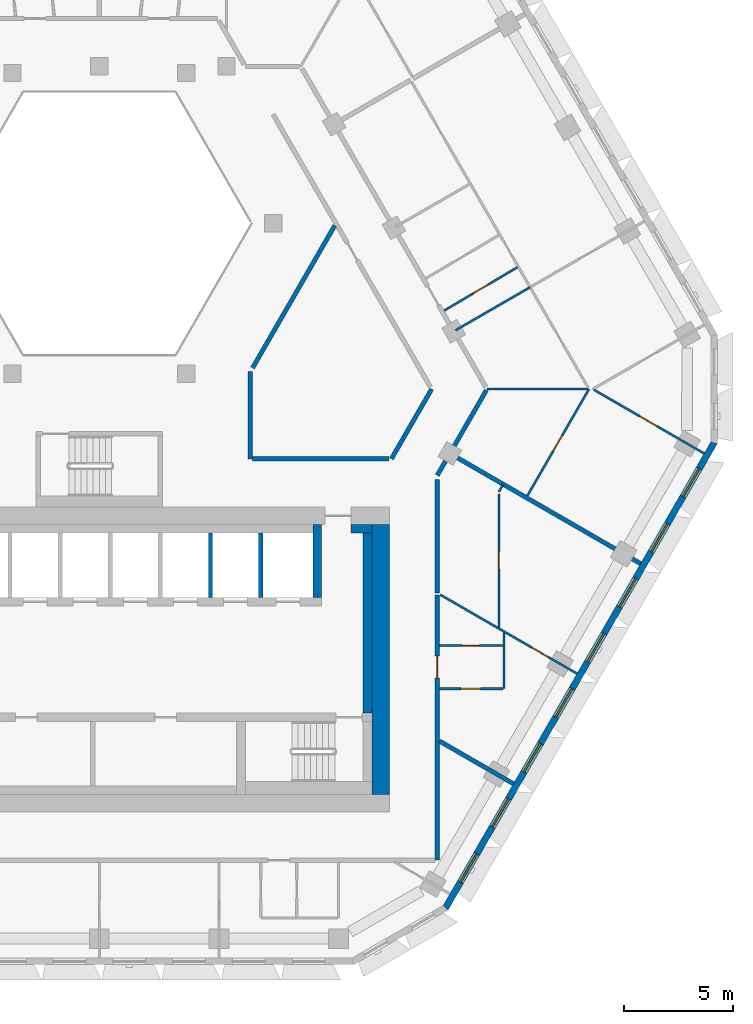
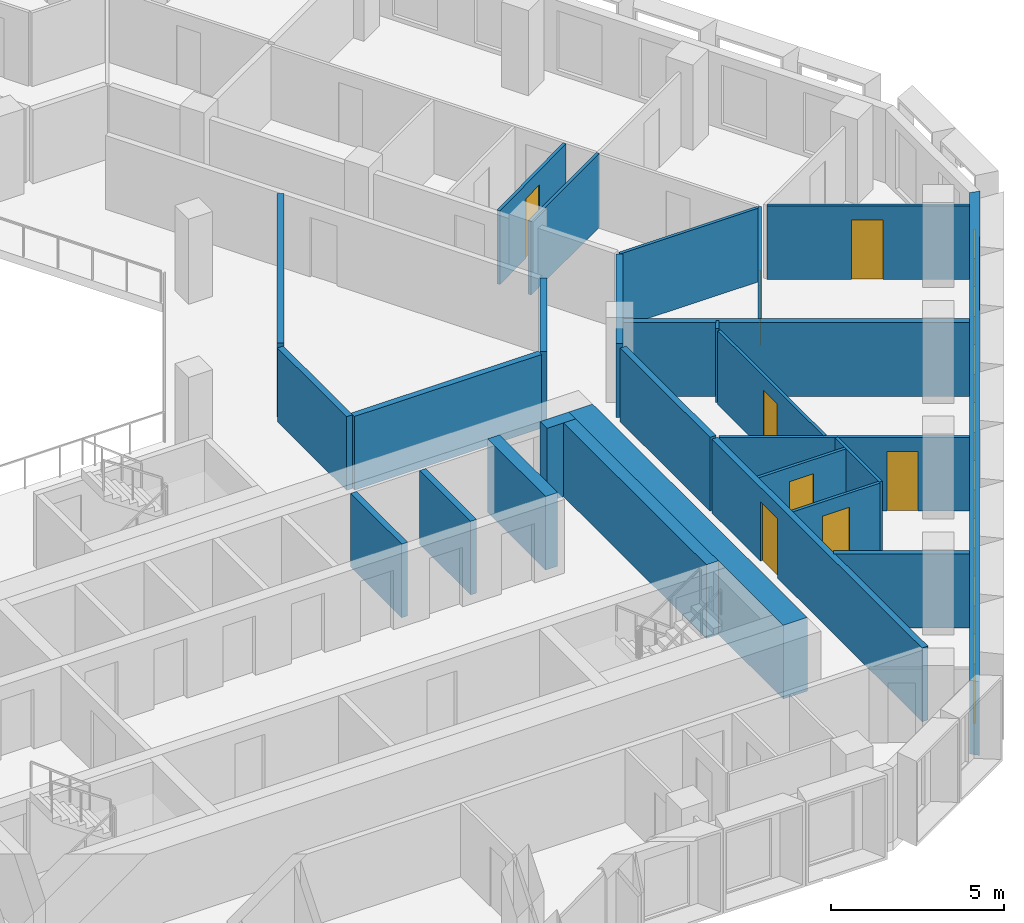
# One storey, part 6 of 17: 27 walls, 8 doors, 8 windows, 16 openings.
"""IFC4 building model written with IfcOpenShell, lengths in metres."""

from ifc_helpers import new_model, si_unit, direction, frame, frame_2d, origin, place, context, subcontext, project, spatial, polyline, rectangle, outline, extrude, material, layer, layer_set, type_object, element, fill, save


model = new_model("IFC4")

# Units and contexts
model_context = context("Model", 3, precision=1e-05, world=origin(), true_north=direction((0.0, 1.0)))
body_context = subcontext(model_context, "Body", "Model", "MODEL_VIEW")
ifc_project = project(units=[si_unit("LENGTHUNIT", "METRE"), si_unit("AREAUNIT", "SQUARE_METRE"), si_unit("VOLUMEUNIT", "CUBIC_METRE"), si_unit("PLANEANGLEUNIT", "RADIAN"), si_unit("MASSUNIT", "GRAM", prefix="KILO")], contexts=[model_context])

# Site, building, storey
site_placement = place(None, origin())
site = spatial("IfcSite", under=ifc_project, at=site_placement, CompositionType="ELEMENT")
building_placement = place(site_placement, origin())
building = spatial("IfcBuilding", under=site, at=building_placement, Name="Beryl Residences", CompositionType="ELEMENT")
storey_placement = place(building_placement, frame((0.0, 0.0, 150.60009765625)))
storey = spatial("IfcBuildingStorey", under=building, at=storey_placement, Name="L46", CompositionType="ELEMENT", Elevation=150.60009765625)

# Wall, openings, windows
ifc_material_1 = material(Name="Composite metal panel with mineral wool insulation")
ifc_layer_1 = layer(ifc_material_1, 0.300048828125)
ifc_layer_set_1 = layer_set([ifc_layer_1], Name="ES1 pale metal composite panel wall 300 mm")
wall_type_1 = type_object("IfcWallType", Name="ES1 pale metal composite panel wall 300 mm", PredefinedType="SOLIDWALL", material=ifc_layer_set_1)
wall_1_placement = place(storey_placement, frame((15.862060546875, -23.425048828125, 0.0), z_axis=(0.0, 0.0, 1.0), x_axis=(0.500017503135, 0.866015298109, 0.0)))
wall_1 = element("IfcWall", 1, at=wall_1_placement, inside=storey, type_object=wall_type_1, Name="ES1 external wall L46 SE", PredefinedType="SOLIDWALL", context=body_context, shape_type="SweptSolid", body=[
    extrude(outline(polyline([(0.0, -0.14990234375), (24.7109375, -0.14990234375), (24.630615234375, 0.14990234375), (0.080322265625, 0.14990234375), (0.0, -0.14990234375)])), origin(), (0.0, 0.0, 1.0), 2.599853515625),
])
opening_1_placement = place(wall_1_placement, frame((1.39990234375, 0.0, 0.14990234375)))
opening_1 = element("IfcOpeningElement", 2, at=opening_1_placement, cuts=wall_1, Name="Opening W1", PredefinedType="OPENING", context=body_context, shape_type="SweptSolid", body=[
    extrude(rectangle(XDim=1.5, YDim=2.10009765625, at=frame_2d((0.75, 1.050048828125))), frame((0.0, 0.159912109375, 0.0), z_axis=(0.0, -1.0, 0.0), x_axis=(1.0, 0.0, 0.0)), (0.0, 0.0, 1.0), 0.320068359375),
])
opening_2_placement = place(wall_1_placement, frame((4.31591796875, 0.0, 0.14990234375)))
opening_2 = element("IfcOpeningElement", 3, at=opening_2_placement, cuts=wall_1, Name="Opening W1", PredefinedType="OPENING", context=body_context, shape_type="SweptSolid", body=[
    extrude(rectangle(XDim=1.5, YDim=2.10009765625, at=frame_2d((0.75, 1.050048828125))), frame((0.0, 0.159912109375, 0.0), z_axis=(0.0, -1.0, 0.0), x_axis=(1.0, 0.0, 0.0)), (0.0, 0.0, 1.0), 0.320068359375),
])
opening_3_placement = place(wall_1_placement, frame((7.23095703125, 0.0, 0.14990234375)))
opening_3 = element("IfcOpeningElement", 4, at=opening_3_placement, cuts=wall_1, Name="Opening W1", PredefinedType="OPENING", context=body_context, shape_type="SweptSolid", body=[
    extrude(rectangle(XDim=1.5, YDim=2.10009765625, at=frame_2d((0.75, 1.050048828125))), frame((0.0, 0.159912109375, 0.0), z_axis=(0.0, -1.0, 0.0), x_axis=(1.0, 0.0, 0.0)), (0.0, 0.0, 1.0), 0.320068359375),
])
opening_4_placement = place(wall_1_placement, frame((10.14697265625, 0.0, 0.14990234375)))
opening_4 = element("IfcOpeningElement", 5, at=opening_4_placement, cuts=wall_1, Name="Opening W1", PredefinedType="OPENING", context=body_context, shape_type="SweptSolid", body=[
    extrude(rectangle(XDim=1.5, YDim=2.10009765625, at=frame_2d((0.75, 1.050048828125))), frame((0.0, 0.159912109375, 0.0), z_axis=(0.0, -1.0, 0.0), x_axis=(1.0, 0.0, 0.0)), (0.0, 0.0, 1.0), 0.320068359375),
])
opening_5_placement = place(wall_1_placement, frame((13.06201171875, 0.0, 0.14990234375)))
opening_5 = element("IfcOpeningElement", 6, at=opening_5_placement, cuts=wall_1, Name="Opening W1", PredefinedType="OPENING", context=body_context, shape_type="SweptSolid", body=[
    extrude(rectangle(XDim=1.5, YDim=2.10009765625, at=frame_2d((0.75, 1.050048828125))), frame((0.0, 0.159912109375, 0.0), z_axis=(0.0, -1.0, 0.0), x_axis=(1.0, 0.0, 0.0)), (0.0, 0.0, 1.0), 0.320068359375),
])
opening_6_placement = place(wall_1_placement, frame((15.97705078125, 0.0, 0.14990234375)))
opening_6 = element("IfcOpeningElement", 7, at=opening_6_placement, cuts=wall_1, Name="Opening W1", PredefinedType="OPENING", context=body_context, shape_type="SweptSolid", body=[
    extrude(rectangle(XDim=1.5, YDim=2.10009765625, at=frame_2d((0.75, 1.050048828125))), frame((0.0, 0.159912109375, 0.0), z_axis=(0.0, -1.0, 0.0), x_axis=(1.0, 0.0, 0.0)), (0.0, 0.0, 1.0), 0.320068359375),
])
opening_7_placement = place(wall_1_placement, frame((18.89306640625, 0.0, 0.14990234375)))
opening_7 = element("IfcOpeningElement", 8, at=opening_7_placement, cuts=wall_1, Name="Opening W1", PredefinedType="OPENING", context=body_context, shape_type="SweptSolid", body=[
    extrude(rectangle(XDim=1.5, YDim=2.10009765625, at=frame_2d((0.75, 1.050048828125))), frame((0.0, 0.159912109375, 0.0), z_axis=(0.0, -1.0, 0.0), x_axis=(1.0, 0.0, 0.0)), (0.0, 0.0, 1.0), 0.320068359375),
])
opening_8_placement = place(wall_1_placement, frame((21.80908203125, 0.0, 0.14990234375)))
opening_8 = element("IfcOpeningElement", 9, at=opening_8_placement, cuts=wall_1, Name="Opening W1", PredefinedType="OPENING", context=body_context, shape_type="SweptSolid", body=[
    extrude(rectangle(XDim=1.5, YDim=2.10009765625, at=frame_2d((0.75, 1.050048828125))), frame((0.0, 0.159912109375, 0.0), z_axis=(0.0, -1.0, 0.0), x_axis=(1.0, 0.0, 0.0)), (0.0, 0.0, 1.0), 0.320068359375),
])
ifc_material_2 = material(Name="Aluminium and clear glass", Category="aluminium")
window_type = type_object("IfcWindowType", Name="W1 cell window 1500 x 2100 mm", PartitioningType="SINGLE_PANEL", PredefinedType="WINDOW", material=ifc_material_2)
window_1_placement = place(opening_1_placement, origin())
window_1 = element("IfcWindow", 10, at=window_1_placement, inside=storey, type_object=window_type, Name="W1 window L46 SE 1", OverallHeight=2.10009765625, OverallWidth=1.5, PartitioningType="SINGLE_PANEL", PredefinedType="WINDOW", context=body_context, shape_type="SweptSolid", body=[
    extrude(rectangle(XDim=1.5, YDim=2.10009765625, at=frame_2d((0.75, 1.050048828125))), frame((0.0, 0.030029296875, 0.0), z_axis=(0.0, -1.0, 0.0), x_axis=(1.0, 0.0, 0.0)), (0.0, 0.0, 1.0), 0.06005859375),
])
fill(opening_1, window_1)
window_2_placement = place(opening_2_placement, origin())
window_2 = element("IfcWindow", 11, at=window_2_placement, inside=storey, type_object=window_type, Name="W1 window L46 SE 2", OverallHeight=2.10009765625, OverallWidth=1.5, PartitioningType="SINGLE_PANEL", PredefinedType="WINDOW", context=body_context, shape_type="SweptSolid", body=[
    extrude(rectangle(XDim=1.5, YDim=2.10009765625, at=frame_2d((0.75, 1.050048828125))), frame((0.0, 0.030029296875, 0.0), z_axis=(0.0, -1.0, 0.0), x_axis=(1.0, 0.0, 0.0)), (0.0, 0.0, 1.0), 0.06005859375),
])
fill(opening_2, window_2)
window_3_placement = place(opening_3_placement, origin())
window_3 = element("IfcWindow", 12, at=window_3_placement, inside=storey, type_object=window_type, Name="W1 window L46 SE 3", OverallHeight=2.10009765625, OverallWidth=1.5, PartitioningType="SINGLE_PANEL", PredefinedType="WINDOW", context=body_context, shape_type="SweptSolid", body=[
    extrude(rectangle(XDim=1.5, YDim=2.10009765625, at=frame_2d((0.75, 1.050048828125))), frame((0.0, 0.030029296875, 0.0), z_axis=(0.0, -1.0, 0.0), x_axis=(1.0, 0.0, 0.0)), (0.0, 0.0, 1.0), 0.06005859375),
])
fill(opening_3, window_3)
window_4_placement = place(opening_4_placement, origin())
window_4 = element("IfcWindow", 13, at=window_4_placement, inside=storey, type_object=window_type, Name="W1 window L46 SE 4", OverallHeight=2.10009765625, OverallWidth=1.5, PartitioningType="SINGLE_PANEL", PredefinedType="WINDOW", context=body_context, shape_type="SweptSolid", body=[
    extrude(rectangle(XDim=1.5, YDim=2.10009765625, at=frame_2d((0.75, 1.050048828125))), frame((0.0, 0.030029296875, 0.0), z_axis=(0.0, -1.0, 0.0), x_axis=(1.0, 0.0, 0.0)), (0.0, 0.0, 1.0), 0.06005859375),
])
fill(opening_4, window_4)
window_5_placement = place(opening_5_placement, origin())
window_5 = element("IfcWindow", 14, at=window_5_placement, inside=storey, type_object=window_type, Name="W1 window L46 SE 5", OverallHeight=2.10009765625, OverallWidth=1.5, PartitioningType="SINGLE_PANEL", PredefinedType="WINDOW", context=body_context, shape_type="SweptSolid", body=[
    extrude(rectangle(XDim=1.5, YDim=2.10009765625, at=frame_2d((0.75, 1.050048828125))), frame((0.0, 0.030029296875, 0.0), z_axis=(0.0, -1.0, 0.0), x_axis=(1.0, 0.0, 0.0)), (0.0, 0.0, 1.0), 0.06005859375),
])
fill(opening_5, window_5)
window_6_placement = place(opening_6_placement, origin())
window_6 = element("IfcWindow", 15, at=window_6_placement, inside=storey, type_object=window_type, Name="W1 window L46 SE 6", OverallHeight=2.10009765625, OverallWidth=1.5, PartitioningType="SINGLE_PANEL", PredefinedType="WINDOW", context=body_context, shape_type="SweptSolid", body=[
    extrude(rectangle(XDim=1.5, YDim=2.10009765625, at=frame_2d((0.75, 1.050048828125))), frame((0.0, 0.030029296875, 0.0), z_axis=(0.0, -1.0, 0.0), x_axis=(1.0, 0.0, 0.0)), (0.0, 0.0, 1.0), 0.06005859375),
])
fill(opening_6, window_6)
window_7_placement = place(opening_7_placement, origin())
window_7 = element("IfcWindow", 16, at=window_7_placement, inside=storey, type_object=window_type, Name="W1 window L46 SE 7", OverallHeight=2.10009765625, OverallWidth=1.5, PartitioningType="SINGLE_PANEL", PredefinedType="WINDOW", context=body_context, shape_type="SweptSolid", body=[
    extrude(rectangle(XDim=1.5, YDim=2.10009765625, at=frame_2d((0.75, 1.050048828125))), frame((0.0, 0.030029296875, 0.0), z_axis=(0.0, -1.0, 0.0), x_axis=(1.0, 0.0, 0.0)), (0.0, 0.0, 1.0), 0.06005859375),
])
fill(opening_7, window_7)
window_8_placement = place(opening_8_placement, origin())
window_8 = element("IfcWindow", 17, at=window_8_placement, inside=storey, type_object=window_type, Name="W1 window L46 SE 8", OverallHeight=2.10009765625, OverallWidth=1.5, PartitioningType="SINGLE_PANEL", PredefinedType="WINDOW", context=body_context, shape_type="SweptSolid", body=[
    extrude(rectangle(XDim=1.5, YDim=2.10009765625, at=frame_2d((0.75, 1.050048828125))), frame((0.0, 0.030029296875, 0.0), z_axis=(0.0, -1.0, 0.0), x_axis=(1.0, 0.0, 0.0)), (0.0, 0.0, 1.0), 0.06005859375),
])
fill(opening_8, window_8)

# Wall, opening, door
ifc_material_3 = material(Name="Gypsum board partition on steel studs", Category="steel")
ifc_layer_2 = layer(ifc_material_3, 0.10009765625)
ifc_layer_set_2 = layer_set([ifc_layer_2], Name="PT1 partition 100 mm gypsum board on steel studs")
wall_type_2 = type_object("IfcWallType", Name="PT1 partition 100 mm gypsum board on steel studs", PredefinedType="PARTITIONING", material=ifc_layer_set_2)
wall_2_placement = place(storey_placement, frame((18.324951171875, -4.408935546875, 0.0), z_axis=(0.0, 0.0, 1.0), x_axis=(0.0, -1.0, 0.0)))
wall_2 = element("IfcWall", 18, at=wall_2_placement, inside=storey, type_object=wall_type_2, Name="Wall PT1 L46 010", PredefinedType="PARTITIONING", context=body_context, shape_type="SweptSolid", body=[
    extrude(rectangle(XDim=6.114990234375, YDim=0.10009765625, at=frame_2d((3.0576171875, 0.0))), origin(), (0.0, 0.0, 1.0), 2.599853515625),
])
opening_9_placement = place(wall_2_placement, frame((2.635986328125, 0.0, 0.0)))
opening_9 = element("IfcOpeningElement", 19, at=opening_9_placement, cuts=wall_2, Name="Opening D1119", PredefinedType="OPENING", context=body_context, shape_type="SweptSolid", body=[
    extrude(rectangle(XDim=0.800048828125, YDim=2.10009765625, at=frame_2d((0.39990234375, 1.050048828125))), frame((0.0, 0.06005859375, 0.0), z_axis=(0.0, -1.0, 0.0), x_axis=(1.0, 0.0, 0.0)), (0.0, 0.0, 1.0), 0.1201171875),
])
ifc_material_4 = material(Name="Timber door leaf", Category="wood")
door_type_1 = type_object("IfcDoorType", Name="D3 bathroom door 800 x 2100 mm", OperationType="SINGLE_SWING_LEFT", PredefinedType="DOOR", material=ifc_material_4)
door_1_placement = place(opening_9_placement, origin())
door_1 = element("IfcDoor", 20, at=door_1_placement, inside=storey, type_object=door_type_1, Name="Door D1119 L46 001", OperationType="SINGLE_SWING_LEFT", OverallHeight=2.10009765625, OverallWidth=0.800048828125, PredefinedType="DOOR", context=body_context, shape_type="SweptSolid", body=[
    extrude(rectangle(XDim=0.800048828125, YDim=2.10009765625, at=frame_2d((0.39990234375, 1.050048828125))), frame((0.0, 0.02490234375, 0.0), z_axis=(0.0, -1.0, 0.0), x_axis=(1.0, 0.0, 0.0)), (0.0, 0.0, 1.0), 0.050048828125),
])
fill(opening_9, door_1)

wall_3_placement = place(storey_placement, frame((15.64111328125, -9.031982421875, 0.0), z_axis=(0.0, 0.0, 1.0), x_axis=(0.866049104564, -0.499958946799, 0.0)))
wall_3 = element("IfcWall", 21, at=wall_3_placement, inside=storey, type_object=wall_type_2, Name="Wall PT1 L46 016", PredefinedType="PARTITIONING", context=body_context, shape_type="SweptSolid", body=[
    extrude(rectangle(XDim=7.23828125, YDim=0.10009765625, at=frame_2d((3.619140625, 0.0))), origin(), (0.0, 0.0, 1.0), 2.599853515625),
])
opening_10_placement = place(wall_3_placement, frame((4.85400390625, 0.0, 0.0)))
opening_10 = element("IfcOpeningElement", 22, at=opening_10_placement, cuts=wall_3, Name="Opening D1118", PredefinedType="OPENING", context=body_context, shape_type="SweptSolid", body=[
    extrude(rectangle(XDim=0.89990234375, YDim=2.10009765625, at=frame_2d((0.449951171875, 1.050048828125))), frame((0.0, 0.06005859375, 0.0), z_axis=(0.0, -1.0, 0.0), x_axis=(1.0, 0.0, 0.0)), (0.0, 0.0, 1.0), 0.1201171875),
])
ifc_material_5 = material(Name="Timber door leaf", Category="wood")
door_type_2 = type_object("IfcDoorType", Name="D2 room door 900 x 2100 mm", OperationType="SINGLE_SWING_LEFT", PredefinedType="DOOR", material=ifc_material_5)
door_2_placement = place(opening_10_placement, origin())
door_2 = element("IfcDoor", 23, at=door_2_placement, inside=storey, type_object=door_type_2, Name="Door D1118 L46 001", OperationType="SINGLE_SWING_RIGHT", OverallHeight=2.10009765625, OverallWidth=0.89990234375, PredefinedType="DOOR", context=body_context, shape_type="SweptSolid", body=[
    extrude(rectangle(XDim=0.89990234375, YDim=2.10009765625, at=frame_2d((0.449951171875, 1.050048828125))), frame((0.0, 0.02490234375, 0.0), z_axis=(0.0, -1.0, 0.0), x_axis=(1.0, 0.0, 0.0)), (0.0, 0.0, 1.0), 0.050048828125),
])
fill(opening_10, door_2)

wall_4_placement = place(storey_placement, frame((22.678955078125, 0.3720703125, 0.0), z_axis=(0.0, 0.0, 1.0), x_axis=(0.865985260119, -0.500069524424, 0.0)))
wall_4 = element("IfcWall", 24, at=wall_4_placement, inside=storey, type_object=wall_type_2, Name="Wall PT1 L46 018", PredefinedType="PARTITIONING", context=body_context, shape_type="SweptSolid", body=[
    extrude(rectangle(XDim=5.845458984375, YDim=0.10009765625, at=frame_2d((2.9228515625, 0.0))), origin(), (0.0, 0.0, 1.0), 2.599853515625),
])
opening_11_placement = place(wall_4_placement, frame((2.444091796875, 0.0, 0.0)))
opening_11 = element("IfcOpeningElement", 25, at=opening_11_placement, cuts=wall_4, Name="Opening D1128", PredefinedType="OPENING", context=body_context, shape_type="SweptSolid", body=[
    extrude(rectangle(XDim=0.89990234375, YDim=2.10009765625, at=frame_2d((0.449951171875, 1.050048828125))), frame((0.0, 0.06005859375, 0.0), z_axis=(0.0, -1.0, 0.0), x_axis=(1.0, 0.0, 0.0)), (0.0, 0.0, 1.0), 0.1201171875),
])
door_3_placement = place(opening_11_placement, origin())
door_3 = element("IfcDoor", 26, at=door_3_placement, inside=storey, type_object=door_type_2, Name="Door D1128 L46 001", OperationType="SINGLE_SWING_RIGHT", OverallHeight=2.10009765625, OverallWidth=0.89990234375, PredefinedType="DOOR", context=body_context, shape_type="SweptSolid", body=[
    extrude(rectangle(XDim=0.89990234375, YDim=2.10009765625, at=frame_2d((0.449951171875, 1.050048828125))), frame((0.0, 0.02490234375, 0.0), z_axis=(0.0, -1.0, 0.0), x_axis=(1.0, 0.0, 0.0)), (0.0, 0.0, 1.0), 0.050048828125),
])
fill(opening_11, door_3)

wall_5_placement = place(storey_placement, frame((15.60009765625, -11.362060546875, 0.0), z_axis=(0.0, 0.0, 1.0), x_axis=(1.0, 0.0, 0.0)))
wall_5 = element("IfcWall", 27, at=wall_5_placement, inside=storey, type_object=wall_type_2, Name="Wall PT1 L46 019", PredefinedType="PARTITIONING", context=body_context, shape_type="SweptSolid", body=[
    extrude(rectangle(XDim=2.909912109375, YDim=0.10009765625, at=frame_2d((1.455078125, 0.0))), origin(), (0.0, 0.0, 1.0), 2.599853515625),
])
opening_12_placement = place(wall_5_placement, frame((1.030029296875, 0.0, 0.0)))
opening_12 = element("IfcOpeningElement", 28, at=opening_12_placement, cuts=wall_5, Name="Opening D1117", PredefinedType="OPENING", context=body_context, shape_type="SweptSolid", body=[
    extrude(rectangle(XDim=0.800048828125, YDim=2.10009765625, at=frame_2d((0.39990234375, 1.050048828125))), frame((0.0, 0.06005859375, 0.0), z_axis=(0.0, -1.0, 0.0), x_axis=(1.0, 0.0, 0.0)), (0.0, 0.0, 1.0), 0.1201171875),
])
door_4_placement = place(opening_12_placement, origin())
door_4 = element("IfcDoor", 29, at=door_4_placement, inside=storey, type_object=door_type_1, Name="Door D1117 L46 001", OperationType="SINGLE_SWING_LEFT", OverallHeight=2.10009765625, OverallWidth=0.800048828125, PredefinedType="DOOR", context=body_context, shape_type="SweptSolid", body=[
    extrude(rectangle(XDim=0.800048828125, YDim=2.10009765625, at=frame_2d((0.39990234375, 1.050048828125))), frame((0.0, 0.02490234375, 0.0), z_axis=(0.0, -1.0, 0.0), x_axis=(1.0, 0.0, 0.0)), (0.0, 0.0, 1.0), 0.050048828125),
])
fill(opening_12, door_4)

wall_6_placement = place(storey_placement, frame((15.60009765625, -13.342041015625, 0.0), z_axis=(0.0, 0.0, 1.0), x_axis=(1.0, 0.0, 0.0)))
wall_6 = element("IfcWall", 30, at=wall_6_placement, inside=storey, type_object=wall_type_2, Name="Wall PT1 L46 020", PredefinedType="PARTITIONING", context=body_context, shape_type="SweptSolid", body=[
    extrude(rectangle(XDim=2.908935546875, YDim=0.10009765625, at=frame_2d((1.45458984375, 0.0))), origin(), (0.0, 0.0, 1.0), 2.599853515625),
])
opening_13_placement = place(wall_6_placement, frame((0.97998046875, 0.0, 0.0)))
opening_13 = element("IfcOpeningElement", 31, at=opening_13_placement, cuts=wall_6, Name="Opening D1116", PredefinedType="OPENING", context=body_context, shape_type="SweptSolid", body=[
    extrude(rectangle(XDim=0.89990234375, YDim=2.10009765625, at=frame_2d((0.449951171875, 1.050048828125))), frame((0.0, 0.06005859375, 0.0), z_axis=(0.0, -1.0, 0.0), x_axis=(1.0, 0.0, 0.0)), (0.0, 0.0, 1.0), 0.1201171875),
])
door_5_placement = place(opening_13_placement, origin())
door_5 = element("IfcDoor", 32, at=door_5_placement, inside=storey, type_object=door_type_2, Name="Door D1116 L46 001", OperationType="SINGLE_SWING_RIGHT", OverallHeight=2.10009765625, OverallWidth=0.89990234375, PredefinedType="DOOR", context=body_context, shape_type="SweptSolid", body=[
    extrude(rectangle(XDim=0.89990234375, YDim=2.10009765625, at=frame_2d((0.449951171875, 1.050048828125))), frame((0.0, 0.02490234375, 0.0), z_axis=(0.0, -1.0, 0.0), x_axis=(1.0, 0.0, 0.0)), (0.0, 0.0, 1.0), 0.050048828125),
])
fill(opening_13, door_5)

# Walls
wall_7_placement = place(storey_placement, frame((17.781982421875, 0.40087890625, 0.0), z_axis=(0.0, 0.0, 1.0), x_axis=(1.0, 0.0, 0.0)))
element("IfcWall", 33, at=wall_7_placement, inside=storey, type_object=wall_type_2, Name="Wall PT1 L46 024", PredefinedType="PARTITIONING", context=body_context, shape_type="SweptSolid", body=[
    extrude(rectangle(XDim=4.615966796875, YDim=0.10009765625, at=frame_2d((2.30810546875, 0.0))), origin(), (0.0, 0.0, 1.0), 2.599853515625),
])
wall_8_placement = place(storey_placement, frame((18.324951171875, -4.30908203125, 0.0), z_axis=(0.0, 0.0, 1.0), x_axis=(0.5014706583, 0.865174652232, 0.0)))
element("IfcWall", 34, at=wall_8_placement, inside=storey, type_object=wall_type_2, Name="Wall PT1 L46 030", PredefinedType="PARTITIONING", context=body_context, shape_type="SweptSolid", body=[
    extrude(rectangle(XDim=0.398681640625, YDim=0.10009765625, at=frame_2d((0.19921875, 0.0))), origin(), (0.0, 0.0, 1.0), 2.599853515625),
])

# Wall, opening, door
wall_9_placement = place(storey_placement, frame((19.633056640625, -4.488037109375, 0.0), z_axis=(0.0, 0.0, 1.0), x_axis=(0.500050624552, 0.865996173713, 0.0)))
wall_9 = element("IfcWall", 35, at=wall_9_placement, inside=storey, type_object=wall_type_2, Name="Wall PT1 L46 031", PredefinedType="PARTITIONING", context=body_context, shape_type="SweptSolid", body=[
    extrude(rectangle(XDim=5.6455078125, YDim=0.10009765625, at=frame_2d((2.82275390625, 0.0))), origin(), (0.0, 0.0, 1.0), 2.599853515625),
])
opening_14_placement = place(wall_9_placement, frame((2.3720703125, 0.0, 0.0)))
opening_14 = element("IfcOpeningElement", 36, at=opening_14_placement, cuts=wall_9, Name="Opening D1129", PredefinedType="OPENING", context=body_context, shape_type="SweptSolid", body=[
    extrude(rectangle(XDim=0.800048828125, YDim=2.10009765625, at=frame_2d((0.39990234375, 1.050048828125))), frame((0.0, 0.06005859375, 0.0), z_axis=(0.0, -1.0, 0.0), x_axis=(1.0, 0.0, 0.0)), (0.0, 0.0, 1.0), 0.1201171875),
])
door_6_placement = place(opening_14_placement, origin())
door_6 = element("IfcDoor", 37, at=door_6_placement, inside=storey, type_object=door_type_1, Name="Door D1129 L46 001", OperationType="SINGLE_SWING_LEFT", OverallHeight=2.10009765625, OverallWidth=0.800048828125, PredefinedType="DOOR", context=body_context, shape_type="SweptSolid", body=[
    extrude(rectangle(XDim=0.800048828125, YDim=2.10009765625, at=frame_2d((0.39990234375, 1.050048828125))), frame((0.0, 0.02490234375, 0.0), z_axis=(0.0, -1.0, 0.0), x_axis=(1.0, 0.0, 0.0)), (0.0, 0.0, 1.0), 0.050048828125),
])
fill(opening_14, door_6)

# Walls
wall_10_placement = place(storey_placement, frame((18.56005859375, -13.341064453125, 0.0), z_axis=(0.0, 0.0, 1.0), x_axis=(0.0, 1.0, 0.0)))
element("IfcWall", 38, at=wall_10_placement, inside=storey, type_object=wall_type_2, Name="Wall PT1 L46 043", PredefinedType="PARTITIONING", context=body_context, shape_type="SweptSolid", body=[
    extrude(rectangle(XDim=2.566162109375, YDim=0.10009765625, at=frame_2d((1.283203125, 0.0))), origin(), (0.0, 0.0, 1.0), 2.599853515625),
])
wall_11_placement = place(storey_placement, frame((16.339111328125, 3.10009765625, 0.0), z_axis=(0.0, 0.0, 1.0), x_axis=(0.866031112038, 0.499990112884, 0.0)))
element("IfcWall", 39, at=wall_11_placement, inside=storey, type_object=wall_type_2, Name="Wall PT1 L46 050", PredefinedType="PARTITIONING", context=body_context, shape_type="SweptSolid", body=[
    extrude(rectangle(XDim=3.94775390625, YDim=0.10009765625, at=frame_2d((1.973876953125, 0.0))), origin(), (0.0, 0.0, 1.0), 2.599853515625),
])

# Wall, opening, door
wall_12_placement = place(storey_placement, frame((15.818115234375, 4.001953125, 0.0), z_axis=(0.0, 0.0, 1.0), x_axis=(0.860457323494, 0.509522516132, 0.0)))
wall_12 = element("IfcWall", 40, at=wall_12_placement, inside=storey, type_object=wall_type_2, Name="Wall PT1 L46 057", PredefinedType="PARTITIONING", context=body_context, shape_type="SweptSolid", body=[
    extrude(rectangle(XDim=3.89794921875, YDim=0.10009765625, at=frame_2d((1.948974609375, 0.0))), origin(), (0.0, 0.0, 1.0), 2.599853515625),
])
opening_15_placement = place(wall_12_placement, frame((1.52392578125, 0.0, 0.0)))
opening_15 = element("IfcOpeningElement", 41, at=opening_15_placement, cuts=wall_12, Name="Opening D1121", PredefinedType="OPENING", context=body_context, shape_type="SweptSolid", body=[
    extrude(rectangle(XDim=0.800048828125, YDim=2.10009765625, at=frame_2d((0.39990234375, 1.050048828125))), frame((0.0, 0.06005859375, 0.0), z_axis=(0.0, -1.0, 0.0), x_axis=(1.0, 0.0, 0.0)), (0.0, 0.0, 1.0), 0.1201171875),
])
door_7_placement = place(opening_15_placement, origin())
door_7 = element("IfcDoor", 42, at=door_7_placement, inside=storey, type_object=door_type_1, Name="Door D1121 L46 001", OperationType="SINGLE_SWING_LEFT", OverallHeight=2.10009765625, OverallWidth=0.800048828125, PredefinedType="DOOR", context=body_context, shape_type="SweptSolid", body=[
    extrude(rectangle(XDim=0.800048828125, YDim=2.10009765625, at=frame_2d((0.39990234375, 1.050048828125))), frame((0.0, 0.02490234375, 0.0), z_axis=(0.0, -1.0, 0.0), x_axis=(1.0, 0.0, 0.0)), (0.0, 0.0, 1.0), 0.050048828125),
])
fill(opening_15, door_7)

# Walls
ifc_material_6 = material(Name="Concrete masonry", Category="masonry")
ifc_layer_3 = layer(ifc_material_6, 0.39990234375)
ifc_layer_set_3 = layer_set([ifc_layer_3], Name="PT13-400 lobby wall 400 mm")
wall_type_3 = type_object("IfcWallType", Name="PT13-400 lobby wall 400 mm", PredefinedType="PARTITIONING", material=ifc_layer_set_3)
wall_13_placement = place(storey_placement, frame((11.550048828125, -6.0, 0.0), z_axis=(0.0, 0.0, 1.0), x_axis=(1.0, 0.0, 0.0)))
element("IfcWall", 43, at=wall_13_placement, inside=storey, type_object=wall_type_3, Name="Lobby wall 22", PredefinedType="PARTITIONING", context=body_context, shape_type="SweptSolid", body=[
    extrude(rectangle(XDim=0.949951171875, YDim=0.39990234375, at=frame_2d((0.47509765625, 0.0))), origin(), (0.0, 0.0, 1.0), 2.599853515625),
])
wall_14_placement = place(storey_placement, frame((12.300048828125, -14.449951171875, 0.0), z_axis=(0.0, 0.0, 1.0), x_axis=(0.0, 1.0, 0.0)))
element("IfcWall", 44, at=wall_14_placement, inside=storey, type_object=wall_type_3, Name="Lobby wall 24", PredefinedType="PARTITIONING", context=body_context, shape_type="SweptSolid", body=[
    extrude(rectangle(XDim=8.25, YDim=0.39990234375, at=frame_2d((4.125, 0.0))), origin(), (0.0, 0.0, 1.0), 2.599853515625),
])
ifc_material_7 = material(Name="Acoustic double stud gypsum board wall")
ifc_layer_4 = layer(ifc_material_7, 0.199951171875)
ifc_layer_set_4 = layer_set([ifc_layer_4], Name="PT3 party wall 200 mm acoustic double stud")
wall_type_4 = type_object("IfcWallType", Name="PT3 party wall 200 mm acoustic double stud", PredefinedType="PARTITIONING", material=ifc_layer_set_4)
wall_15_placement = place(storey_placement, frame((15.60009765625, -15.740966796875, 0.0), z_axis=(0.0, 0.0, 1.0), x_axis=(0.865964599155, -0.500105301922, 0.0)))
element("IfcWall", 45, at=wall_15_placement, inside=storey, type_object=wall_type_4, Name="Wall PT3 L46 005", PredefinedType="PARTITIONING", context=body_context, shape_type="SweptSolid", body=[
    extrude(rectangle(XDim=3.919189453125, YDim=0.199951171875, at=frame_2d((1.95947265625, 0.0))), origin(), (0.0, 0.0, 1.0), 2.599853515625),
])
wall_16_placement = place(storey_placement, frame((16.1650390625, -2.60107421875, 0.0), z_axis=(0.0, 0.0, 1.0), x_axis=(0.866016855193, -0.500014806302, 0.0)))
element("IfcWall", 46, at=wall_16_placement, inside=storey, type_object=wall_type_4, Name="Wall PT3 L46 006", PredefinedType="PARTITIONING", context=body_context, shape_type="SweptSolid", body=[
    extrude(rectangle(XDim=9.999755859375, YDim=0.199951171875, at=frame_2d((5.0, 0.0))), origin(), (0.0, 0.0, 1.0), 2.599853515625),
])
ifc_material_8 = material(Name="Double stud gypsum board wall")
ifc_layer_5 = layer(ifc_material_8, 0.199951171875)
ifc_layer_set_5 = layer_set([ifc_layer_5], Name="PT4 corridor wall 200 mm double stud")
wall_type_5 = type_object("IfcWallType", Name="PT4 corridor wall 200 mm double stud", PredefinedType="PARTITIONING", material=ifc_layer_set_5)
wall_17_placement = place(storey_placement, frame((15.5, -3.751953125, 0.0), z_axis=(0.0, 0.0, 1.0), x_axis=(0.0, -1.0, 0.0)))
element("IfcWall", 47, at=wall_17_placement, inside=storey, type_object=wall_type_5, Name="Wall PT4 L46 009", PredefinedType="PARTITIONING", context=body_context, shape_type="SweptSolid", body=[
    extrude(rectangle(XDim=5.197998046875, YDim=0.199951171875, at=frame_2d((2.59912109375, 0.0))), origin(), (0.0, 0.0, 1.0), 2.599853515625),
])
wall_18_placement = place(storey_placement, frame((7.028076171875, -2.800048828125, 0.0), z_axis=(0.0, 0.0, 1.0), x_axis=(1.0, 0.0, 0.0)))
element("IfcWall", 48, at=wall_18_placement, inside=storey, type_object=wall_type_5, Name="Wall PT4 L46 014", PredefinedType="PARTITIONING", context=body_context, shape_type="SweptSolid", body=[
    extrude(rectangle(XDim=6.25, YDim=0.199951171875, at=frame_2d((3.125, 0.0))), origin(), (0.0, 0.0, 1.0), 2.599853515625),
])
wall_19_placement = place(storey_placement, frame((7.028076171875, 1.373046875, 0.0), z_axis=(0.0, 0.0, 1.0), x_axis=(0.499954271211, 0.866051803703, 0.0)))
element("IfcWall", 49, at=wall_19_placement, inside=storey, type_object=wall_type_5, Name="Wall PT4 L46 018", PredefinedType="PARTITIONING", context=body_context, shape_type="SweptSolid", body=[
    extrude(rectangle(XDim=7.536376953125, YDim=0.199951171875, at=frame_2d((3.76806640625, 0.0))), origin(), (0.0, 0.0, 1.0), 2.599853515625),
])
wall_20_placement = place(storey_placement, frame((13.39404296875, -2.800048828125, 0.0), z_axis=(0.0, 0.0, 1.0), x_axis=(0.499968324138, 0.866043691079, 0.0)))
element("IfcWall", 50, at=wall_20_placement, inside=storey, type_object=wall_type_5, Name="Wall PT4 L46 019", PredefinedType="PARTITIONING", context=body_context, shape_type="SweptSolid", body=[
    extrude(rectangle(XDim=3.696044921875, YDim=0.199951171875, at=frame_2d((1.84814453125, 0.0))), origin(), (0.0, 0.0, 1.0), 2.599853515625),
])
wall_21_placement = place(storey_placement, frame((15.5, -3.552001953125, 0.0), z_axis=(0.0, 0.0, 1.0), x_axis=(0.499914724673, 0.86607463192, 0.0)))
element("IfcWall", 51, at=wall_21_placement, inside=storey, type_object=wall_type_5, Name="Wall PT4 L46 020", PredefinedType="PARTITIONING", context=body_context, shape_type="SweptSolid", body=[
    extrude(rectangle(XDim=4.506591796875, YDim=0.199951171875, at=frame_2d((2.25341796875, 0.0))), origin(), (0.0, 0.0, 1.0), 2.599853515625),
])
wall_22_placement = place(storey_placement, frame((6.927978515625, -2.800048828125, 0.0), z_axis=(0.0, 0.0, 1.0), x_axis=(0.0, 1.0, 0.0)))
element("IfcWall", 52, at=wall_22_placement, inside=storey, type_object=wall_type_5, Name="Wall PT4 L46 024", PredefinedType="PARTITIONING", context=body_context, shape_type="SweptSolid", body=[
    extrude(rectangle(XDim=4.0, YDim=0.199951171875, at=frame_2d((2.0, 0.0))), origin(), (0.0, 0.0, 1.0), 2.599853515625),
])

# Wall, opening, door
wall_23_placement = place(storey_placement, frame((15.5, -21.198974609375, 0.0), z_axis=(0.0, 0.0, 1.0), x_axis=(0.0, 1.0, 0.0)))
wall_23 = element("IfcWall", 53, at=wall_23_placement, inside=storey, type_object=wall_type_5, Name="Wall PT4 L46 025", PredefinedType="PARTITIONING", context=body_context, shape_type="SweptSolid", body=[
    extrude(rectangle(XDim=12.14697265625, YDim=0.199951171875, at=frame_2d((6.073486328125, 0.0))), origin(), (0.0, 0.0, 1.0), 2.599853515625),
])
opening_16_placement = place(wall_23_placement, frame((8.347900390625, 0.0, 0.0)))
opening_16 = element("IfcOpeningElement", 54, at=opening_16_placement, cuts=wall_23, Name="Opening D1115", PredefinedType="OPENING", context=body_context, shape_type="SweptSolid", body=[
    extrude(rectangle(XDim=1.0, YDim=2.10009765625, at=frame_2d((0.5, 1.050048828125))), frame((0.0, 0.10986328125, 0.0), z_axis=(0.0, -1.0, 0.0), x_axis=(1.0, 0.0, 0.0)), (0.0, 0.0, 1.0), 0.219970703125),
])
ifc_material_9 = material(Name="Timber door leaf", Category="wood")
door_type_3 = type_object("IfcDoorType", Name="D1 flat entrance door 1000 x 2100 mm", OperationType="SINGLE_SWING_LEFT", PredefinedType="DOOR", material=ifc_material_9)
door_8_placement = place(opening_16_placement, origin())
door_8 = element("IfcDoor", 55, at=door_8_placement, inside=storey, type_object=door_type_3, Name="Door D1115 L46 001", OperationType="SINGLE_SWING_LEFT", OverallHeight=2.10009765625, OverallWidth=1.0, PredefinedType="DOOR", context=body_context, shape_type="SweptSolid", body=[
    extrude(rectangle(XDim=1.0, YDim=2.10009765625, at=frame_2d((0.5, 1.050048828125))), frame((0.0, 0.02490234375, 0.0), z_axis=(0.0, -1.0, 0.0), x_axis=(1.0, 0.0, 0.0)), (0.0, 0.0, 1.0), 0.050048828125),
])
fill(opening_16, door_8)

# Walls
ifc_material_10 = material(Name="Concrete C40/50", Category="concrete")
ifc_layer_6 = layer(ifc_material_10, 0.199951171875)
ifc_layer_set_6 = layer_set([ifc_layer_6], Name="PT6 lift shaft wall 200 mm reinforced concrete C40/50")
wall_type_6 = type_object("IfcWallType", Name="PT6 lift shaft wall 200 mm reinforced concrete C40/50", PredefinedType="SOLIDWALL", material=ifc_layer_set_6)
for number, where, z_axis, x_axis, name in (
    (56, (5.10009765625, -9.14990234375, 0.0), (0.0, 0.0, 1.0), (0.0, 1.0, 0.0), "Lift shaft wall 19"),
    (57, (7.39990234375, -9.14990234375, 0.0), (0.0, 0.0, 1.0), (0.0, 1.0, 0.0), "Lift shaft wall 21"),
):
    element("IfcWall", number, at=place(storey_placement, frame(where, z_axis=z_axis, x_axis=x_axis)), inside=storey, type_object=wall_type_6, Name=name, PredefinedType="SOLIDWALL", context=body_context, shape_type="SweptSolid", body=[
        extrude(rectangle(XDim=2.949951171875, YDim=0.199951171875, at=frame_2d((1.47509765625, 0.0))), origin(), (0.0, 0.0, 1.0), 2.599853515625),
    ])
ifc_material_11 = material(Name="Concrete C60/75", Category="concrete")
ifc_layer_7 = layer(ifc_material_11, 0.800048828125)
ifc_layer_set_7 = layer_set([ifc_layer_7], Name="SW3 core outer wall 800 mm C60/75")
wall_type_7 = type_object("IfcWallType", Name="SW3 core outer wall 800 mm C60/75", PredefinedType="SHEAR", material=ifc_layer_set_7)
wall_24_placement = place(storey_placement, frame((12.89990234375, -18.199951171875, 0.0), z_axis=(0.0, 0.0, 1.0), x_axis=(0.0, 1.0, 0.0)))
element("IfcWall", 58, at=wall_24_placement, inside=storey, type_object=wall_type_7, Name="Core wall E L46", PredefinedType="SHEAR", context=body_context, shape_type="SweptSolid", body=[
    extrude(rectangle(XDim=12.39990234375, YDim=0.800048828125, at=frame_2d((6.199951171875, 0.0))), origin(), (0.0, 0.0, 1.0), 2.599853515625),
])
ifc_material_12 = material(Name="Concrete C60/75", Category="concrete")
ifc_layer_8 = layer(ifc_material_12, 0.39990234375)
ifc_layer_set_8 = layer_set([ifc_layer_8], Name="SW8 core internal wall 400 mm C60/75")
wall_type_8 = type_object("IfcWallType", Name="SW8 core internal wall 400 mm C60/75", PredefinedType="SHEAR", material=ifc_layer_set_8)
wall_25_placement = place(storey_placement, frame((10.0, -9.14990234375, 0.0), z_axis=(0.0, 0.0, 1.0), x_axis=(0.0, 1.0, 0.0)))
element("IfcWall", 59, at=wall_25_placement, inside=storey, type_object=wall_type_8, Name="Core wall XN2 L46", PredefinedType="SHEAR", context=body_context, shape_type="SweptSolid", body=[
    extrude(rectangle(XDim=3.349853515625, YDim=0.39990234375, at=frame_2d((1.6748046875, 0.0))), origin(), (0.0, 0.0, 1.0), 2.599853515625),
])

save(model, "model.ifc")
